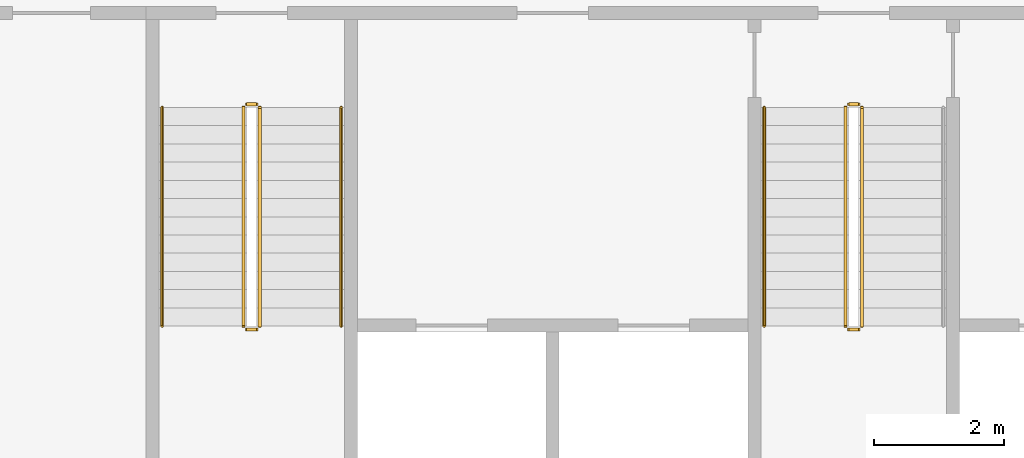
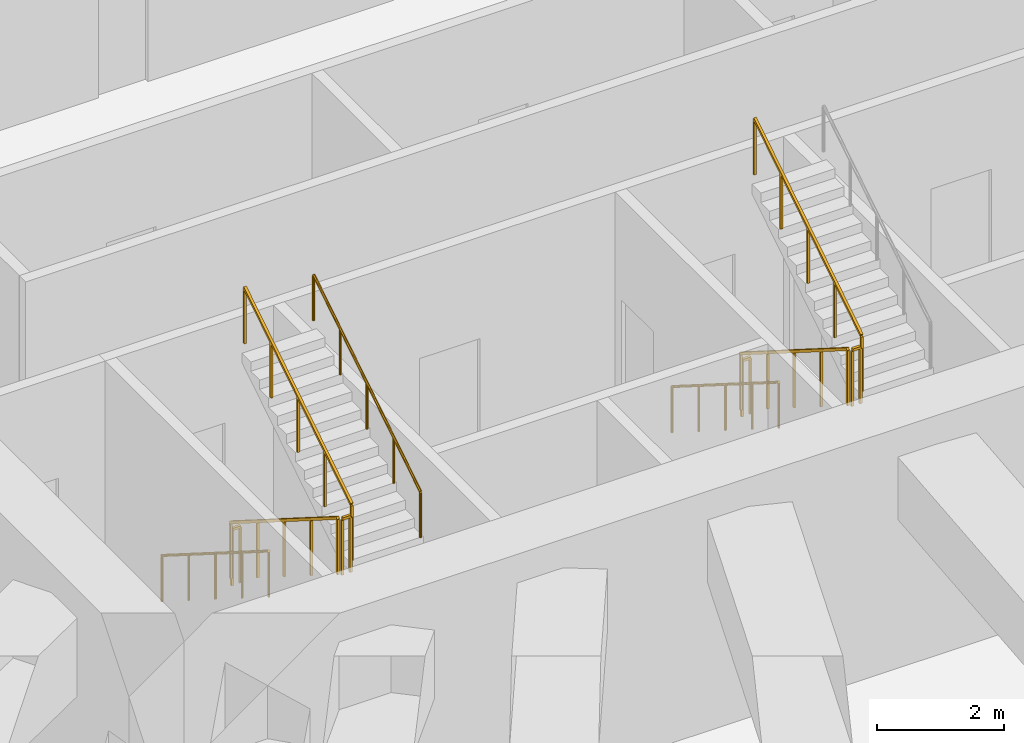
# One storey, part 17 of 21: 11 railings.
"""IFC4 building model written with IfcOpenShell, lengths in metres."""

from ifc_helpers import new_model, si_unit, direction, frame, origin, origin_2d, place, context, subcontext, project, spatial, rectangle, circle, extrude, material, type_object, element, save


model = new_model("IFC4")

# Units and contexts
model_context = context("Model", 3, precision=1e-05, world=origin(), true_north=direction((0.0, 1.0)))
body_context = subcontext(model_context, "Body", "Model", "MODEL_VIEW")
ifc_project = project(units=[si_unit("LENGTHUNIT", "METRE"), si_unit("AREAUNIT", "SQUARE_METRE"), si_unit("VOLUMEUNIT", "CUBIC_METRE"), si_unit("PLANEANGLEUNIT", "RADIAN"), si_unit("MASSUNIT", "GRAM", prefix="KILO")], contexts=[model_context])

# Site, building, storey
site_placement = place(None, origin())
site = spatial("IfcSite", under=ifc_project, at=site_placement, CompositionType="ELEMENT")
building_placement = place(site_placement, origin())
building = spatial("IfcBuilding", under=site, at=building_placement, Name="Mangrove Gate Tower", CompositionType="ELEMENT")
storey_placement = place(building_placement, frame((0.0, 0.0, 125.5)))
storey = spatial("IfcBuildingStorey", under=building, at=storey_placement, Name="L31", CompositionType="ELEMENT", Elevation=125.5)

# Railings
ifc_material_1 = material(Name="Stainless steel 316", Category="steel")
railing_type_1 = type_object("IfcRailingType", Name="Core stair guard 1100", PredefinedType="GUARDRAIL", material=ifc_material_1)
railing_1_placement = place(storey_placement, frame((-9.39990234375, -4.64990234375, 0.177001953125)))
element("IfcRailing", 1, at=railing_1_placement, inside=storey, type_object=railing_type_1, Name="L31 ST1 stair guard 1", PredefinedType="GUARDRAIL", context=body_context, shape_type="SweptSolid", body=[
    extrude(rectangle(XDim=0.048095703125, YDim=0.048095703125, at=origin_2d()), frame((0.0, 0.0, 1.076171875), z_axis=(0.0, -0.845389635667, 0.534150132366), x_axis=(1.0, 0.0, 0.0)), (0.0, 0.0, 1.0), 3.974609375),
    extrude(rectangle(XDim=0.0419921875, YDim=0.0419921875, at=origin_2d()), origin(), (0.0, 0.0, 1.0), 1.052001953125),
    extrude(rectangle(XDim=0.0419921875, YDim=0.0419921875, at=origin_2d()), frame((0.0, -0.840087890625, 0.53076171875)), (0.0, 0.0, 1.0), 1.052001953125),
    extrude(rectangle(XDim=0.0419921875, YDim=0.0419921875, at=origin_2d()), frame((0.0, -1.68017578125, 1.0615234375)), (0.0, 0.0, 1.0), 1.052001953125),
    extrude(rectangle(XDim=0.0419921875, YDim=0.0419921875, at=origin_2d()), frame((0.0, -2.52001953125, 1.59228515625)), (0.0, 0.0, 1.0), 1.052001953125),
    extrude(rectangle(XDim=0.0419921875, YDim=0.0419921875, at=origin_2d()), frame((0.0, -3.360107421875, 2.123046875)), (0.0, 0.0, 1.0), 1.052001953125),
])
railing_2_placement = place(storey_placement, frame((-9.35009765625, -8.06005859375, 2.300048828125)))
element("IfcRailing", 2, at=railing_2_placement, inside=storey, type_object=railing_type_1, Name="L31 ST1 stair guard 2", PredefinedType="GUARDRAIL", context=body_context, shape_type="SweptSolid", body=[
    extrude(rectangle(XDim=0.048095703125, YDim=0.048095703125, at=origin_2d()), frame((0.0, 0.0, 1.076171875), z_axis=(1.0, 0.0, 0.0), x_axis=(0.0, 1.0, 0.0)), (0.0, 0.0, 1.0), 0.150146484375),
    extrude(rectangle(XDim=0.0419921875, YDim=0.0419921875, at=origin_2d()), origin(), (0.0, 0.0, 1.0), 1.052001953125),
    extrude(rectangle(XDim=0.0419921875, YDim=0.0419921875, at=origin_2d()), frame((0.150146484375, 0.0, 0.0)), (0.0, 0.0, 1.0), 1.052001953125),
])
railing_3_placement = place(storey_placement, frame((-9.14990234375, -8.010009765625, 2.476806640625)))
element("IfcRailing", 3, at=railing_3_placement, inside=storey, type_object=railing_type_1, Name="L31 ST1 stair guard 3", PredefinedType="GUARDRAIL", context=body_context, shape_type="SweptSolid", body=[
    extrude(rectangle(XDim=0.048095703125, YDim=0.048095703125, at=origin_2d()), frame((0.0, 0.0, 1.076171875), z_axis=(0.0, 0.845361898145, 0.534194029511), x_axis=(-1.0, 0.0, 0.0)), (0.0, 0.0, 1.0), 3.974853515625),
    extrude(rectangle(XDim=0.0419921875, YDim=0.0419921875, at=origin_2d()), origin(), (0.0, 0.0, 1.0), 1.052001953125),
    extrude(rectangle(XDim=0.0419921875, YDim=0.0419921875, at=origin_2d()), frame((0.0, 0.840087890625, 0.53076171875)), (0.0, 0.0, 1.0), 1.052001953125),
    extrude(rectangle(XDim=0.0419921875, YDim=0.0419921875, at=origin_2d()), frame((0.0, 1.68017578125, 1.0615234375)), (0.0, 0.0, 1.0), 1.052001953125),
    extrude(rectangle(XDim=0.0419921875, YDim=0.0419921875, at=origin_2d()), frame((0.0, 2.52001953125, 1.592529296875)), (0.0, 0.0, 1.0), 1.052001953125),
    extrude(rectangle(XDim=0.0419921875, YDim=0.0419921875, at=origin_2d()), frame((0.0, 3.360107421875, 2.123291015625)), (0.0, 0.0, 1.0), 1.052001953125),
])
railing_4_placement = place(storey_placement, frame((-9.35009765625, -4.60009765625, 0.0)))
element("IfcRailing", 4, at=railing_4_placement, inside=storey, type_object=railing_type_1, Name="L31 ST1 stair guard 4", PredefinedType="GUARDRAIL", context=body_context, shape_type="SweptSolid", body=[
    extrude(rectangle(XDim=0.048095703125, YDim=0.048095703125, at=origin_2d()), frame((0.0, 0.0, 1.076171875), z_axis=(1.0, 0.0, 0.0), x_axis=(0.0, 1.0, 0.0)), (0.0, 0.0, 1.0), 0.150146484375),
    extrude(rectangle(XDim=0.0419921875, YDim=0.0419921875, at=origin_2d()), origin(), (0.0, 0.0, 1.0), 1.052001953125),
    extrude(rectangle(XDim=0.0419921875, YDim=0.0419921875, at=origin_2d()), frame((0.150146484375, 0.0, 0.0)), (0.0, 0.0, 1.0), 1.052001953125),
])
railing_5_placement = place(storey_placement, frame((-0.14990234375, -4.64990234375, 0.177001953125)))
element("IfcRailing", 5, at=railing_5_placement, inside=storey, type_object=railing_type_1, Name="L31 ST2 stair guard 1", PredefinedType="GUARDRAIL", context=body_context, shape_type="SweptSolid", body=[
    extrude(rectangle(XDim=0.048095703125, YDim=0.048095703125, at=origin_2d()), frame((0.0, 0.0, 1.076171875), z_axis=(0.0, -0.845389635667, 0.534150132366), x_axis=(1.0, 0.0, 0.0)), (0.0, 0.0, 1.0), 3.974609375),
    extrude(rectangle(XDim=0.0419921875, YDim=0.0419921875, at=origin_2d()), origin(), (0.0, 0.0, 1.0), 1.052001953125),
    extrude(rectangle(XDim=0.0419921875, YDim=0.0419921875, at=origin_2d()), frame((0.0, -0.840087890625, 0.53076171875)), (0.0, 0.0, 1.0), 1.052001953125),
    extrude(rectangle(XDim=0.0419921875, YDim=0.0419921875, at=origin_2d()), frame((0.0, -1.68017578125, 1.0615234375)), (0.0, 0.0, 1.0), 1.052001953125),
    extrude(rectangle(XDim=0.0419921875, YDim=0.0419921875, at=origin_2d()), frame((0.0, -2.52001953125, 1.59228515625)), (0.0, 0.0, 1.0), 1.052001953125),
    extrude(rectangle(XDim=0.0419921875, YDim=0.0419921875, at=origin_2d()), frame((0.0, -3.360107421875, 2.123046875)), (0.0, 0.0, 1.0), 1.052001953125),
])
railing_6_placement = place(storey_placement, frame((-0.10009765625, -8.06005859375, 2.300048828125)))
element("IfcRailing", 6, at=railing_6_placement, inside=storey, type_object=railing_type_1, Name="L31 ST2 stair guard 2", PredefinedType="GUARDRAIL", context=body_context, shape_type="SweptSolid", body=[
    extrude(rectangle(XDim=0.048095703125, YDim=0.048095703125, at=origin_2d()), frame((0.0, 0.0, 1.076171875), z_axis=(1.0, 0.0, 0.0), x_axis=(0.0, 1.0, 0.0)), (0.0, 0.0, 1.0), 0.150146484375),
    extrude(rectangle(XDim=0.0419921875, YDim=0.0419921875, at=origin_2d()), origin(), (0.0, 0.0, 1.0), 1.052001953125),
    extrude(rectangle(XDim=0.0419921875, YDim=0.0419921875, at=origin_2d()), frame((0.150146484375, 0.0, 0.0)), (0.0, 0.0, 1.0), 1.052001953125),
])
railing_7_placement = place(storey_placement, frame((0.10009765625, -8.010009765625, 2.476806640625)))
element("IfcRailing", 7, at=railing_7_placement, inside=storey, type_object=railing_type_1, Name="L31 ST2 stair guard 3", PredefinedType="GUARDRAIL", context=body_context, shape_type="SweptSolid", body=[
    extrude(rectangle(XDim=0.048095703125, YDim=0.048095703125, at=origin_2d()), frame((0.0, 0.0, 1.076171875), z_axis=(0.0, 0.845361898145, 0.534194029511), x_axis=(-1.0, 0.0, 0.0)), (0.0, 0.0, 1.0), 3.974853515625),
    extrude(rectangle(XDim=0.0419921875, YDim=0.0419921875, at=origin_2d()), origin(), (0.0, 0.0, 1.0), 1.052001953125),
    extrude(rectangle(XDim=0.0419921875, YDim=0.0419921875, at=origin_2d()), frame((0.0, 0.840087890625, 0.53076171875)), (0.0, 0.0, 1.0), 1.052001953125),
    extrude(rectangle(XDim=0.0419921875, YDim=0.0419921875, at=origin_2d()), frame((0.0, 1.68017578125, 1.0615234375)), (0.0, 0.0, 1.0), 1.052001953125),
    extrude(rectangle(XDim=0.0419921875, YDim=0.0419921875, at=origin_2d()), frame((0.0, 2.52001953125, 1.592529296875)), (0.0, 0.0, 1.0), 1.052001953125),
    extrude(rectangle(XDim=0.0419921875, YDim=0.0419921875, at=origin_2d()), frame((0.0, 3.360107421875, 2.123291015625)), (0.0, 0.0, 1.0), 1.052001953125),
])
railing_8_placement = place(storey_placement, frame((-0.10009765625, -4.60009765625, 0.0)))
element("IfcRailing", 8, at=railing_8_placement, inside=storey, type_object=railing_type_1, Name="L31 ST2 stair guard 4", PredefinedType="GUARDRAIL", context=body_context, shape_type="SweptSolid", body=[
    extrude(rectangle(XDim=0.048095703125, YDim=0.048095703125, at=origin_2d()), frame((0.0, 0.0, 1.076171875), z_axis=(1.0, 0.0, 0.0), x_axis=(0.0, 1.0, 0.0)), (0.0, 0.0, 1.0), 0.150146484375),
    extrude(rectangle(XDim=0.0419921875, YDim=0.0419921875, at=origin_2d()), origin(), (0.0, 0.0, 1.0), 1.052001953125),
    extrude(rectangle(XDim=0.0419921875, YDim=0.0419921875, at=origin_2d()), frame((0.150146484375, 0.0, 0.0)), (0.0, 0.0, 1.0), 1.052001953125),
])
ifc_material_2 = material(Name="Stainless steel 316", Category="steel")
railing_type_2 = type_object("IfcRailingType", Name="Core stair handrail 900", PredefinedType="HANDRAIL", material=ifc_material_2)
railing_9_placement = place(storey_placement, frame((-10.64990234375, -4.64990234375, 0.177001953125)))
element("IfcRailing", 9, at=railing_9_placement, inside=storey, type_object=railing_type_2, Name="L31 ST1 stair handrail 1", PredefinedType="HANDRAIL", context=body_context, shape_type="SweptSolid", body=[
    extrude(circle(Radius=0.02392578125, at=origin_2d()), frame((0.0, 0.0, 0.8759765625), z_axis=(0.0, -0.845389635667, 0.534150132366), x_axis=(1.0, 0.0, 0.0)), (0.0, 0.0, 1.0), 3.974609375),
    extrude(circle(Radius=0.02099609375, at=origin_2d()), origin(), (0.0, 0.0, 1.0), 0.851806640625),
    extrude(circle(Radius=0.02099609375, at=origin_2d()), frame((0.0, -0.840087890625, 0.53076171875)), (0.0, 0.0, 1.0), 0.851806640625),
    extrude(circle(Radius=0.02099609375, at=origin_2d()), frame((0.0, -1.68017578125, 1.0615234375)), (0.0, 0.0, 1.0), 0.851806640625),
    extrude(circle(Radius=0.02099609375, at=origin_2d()), frame((0.0, -2.52001953125, 1.59228515625)), (0.0, 0.0, 1.0), 0.851806640625),
    extrude(circle(Radius=0.02099609375, at=origin_2d()), frame((0.0, -3.360107421875, 2.123046875)), (0.0, 0.0, 1.0), 0.851806640625),
])
railing_10_placement = place(storey_placement, frame((-7.89990234375, -8.010009765625, 2.476806640625)))
element("IfcRailing", 10, at=railing_10_placement, inside=storey, type_object=railing_type_2, Name="L31 ST1 stair handrail 2", PredefinedType="HANDRAIL", context=body_context, shape_type="SweptSolid", body=[
    extrude(circle(Radius=0.02392578125, at=origin_2d()), frame((0.0, 0.0, 0.8759765625), z_axis=(0.0, 0.845361898145, 0.534194029511), x_axis=(-1.0, 0.0, 0.0)), (0.0, 0.0, 1.0), 3.974853515625),
    extrude(circle(Radius=0.02099609375, at=origin_2d()), origin(), (0.0, 0.0, 1.0), 0.851806640625),
    extrude(circle(Radius=0.02099609375, at=origin_2d()), frame((0.0, 0.840087890625, 0.53076171875)), (0.0, 0.0, 1.0), 0.851806640625),
    extrude(circle(Radius=0.02099609375, at=origin_2d()), frame((0.0, 1.68017578125, 1.0615234375)), (0.0, 0.0, 1.0), 0.851806640625),
    extrude(circle(Radius=0.02099609375, at=origin_2d()), frame((0.0, 2.52001953125, 1.592529296875)), (0.0, 0.0, 1.0), 0.851806640625),
    extrude(circle(Radius=0.02099609375, at=origin_2d()), frame((0.0, 3.360107421875, 2.123291015625)), (0.0, 0.0, 1.0), 0.851806640625),
])
railing_11_placement = place(storey_placement, frame((-1.39990234375, -4.64990234375, 0.177001953125)))
element("IfcRailing", 11, at=railing_11_placement, inside=storey, type_object=railing_type_2, Name="L31 ST2 stair handrail 1", PredefinedType="HANDRAIL", context=body_context, shape_type="SweptSolid", body=[
    extrude(circle(Radius=0.02392578125, at=origin_2d()), frame((0.0, 0.0, 0.8759765625), z_axis=(0.0, -0.845389635667, 0.534150132366), x_axis=(1.0, 0.0, 0.0)), (0.0, 0.0, 1.0), 3.974609375),
    extrude(circle(Radius=0.02099609375, at=origin_2d()), origin(), (0.0, 0.0, 1.0), 0.851806640625),
    extrude(circle(Radius=0.02099609375, at=origin_2d()), frame((0.0, -0.840087890625, 0.53076171875)), (0.0, 0.0, 1.0), 0.851806640625),
    extrude(circle(Radius=0.02099609375, at=origin_2d()), frame((0.0, -1.68017578125, 1.0615234375)), (0.0, 0.0, 1.0), 0.851806640625),
    extrude(circle(Radius=0.02099609375, at=origin_2d()), frame((0.0, -2.52001953125, 1.59228515625)), (0.0, 0.0, 1.0), 0.851806640625),
    extrude(circle(Radius=0.02099609375, at=origin_2d()), frame((0.0, -3.360107421875, 2.123046875)), (0.0, 0.0, 1.0), 0.851806640625),
])

save(model, "model.ifc")
